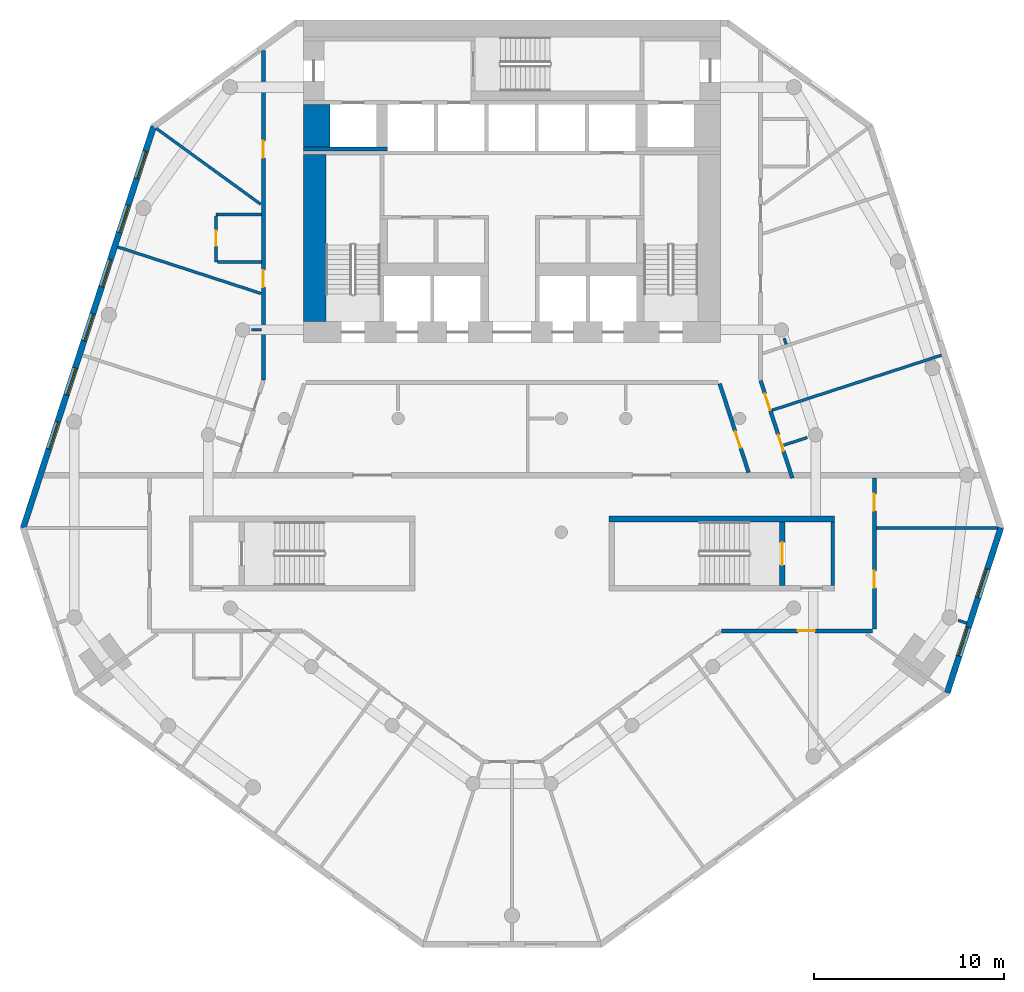
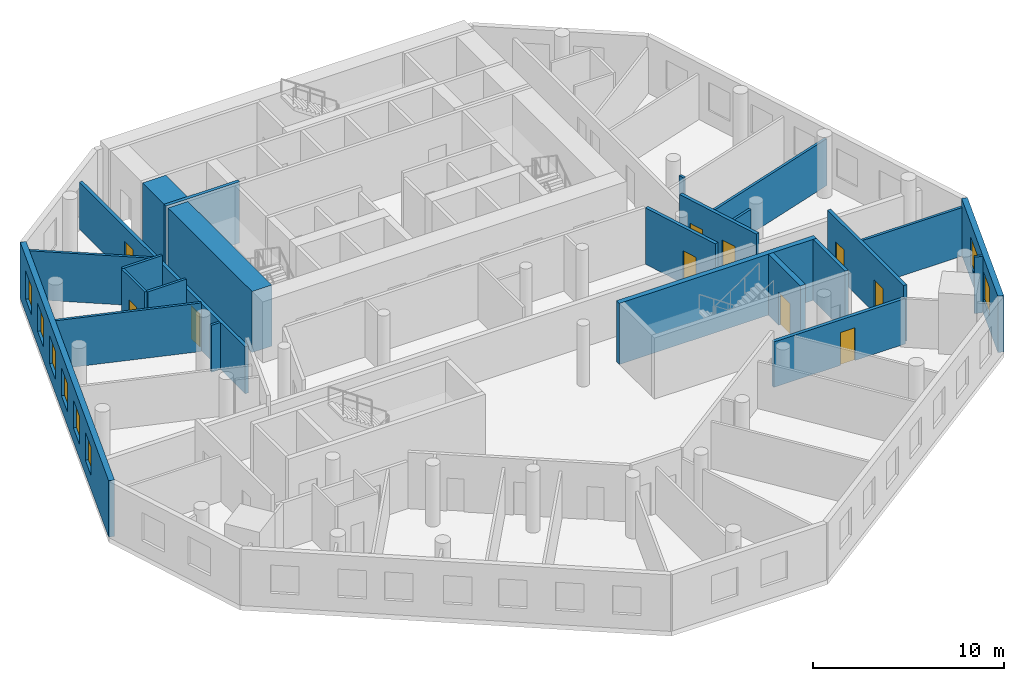
# One storey, part 4 of 9: 24 walls, 10 doors, 8 windows, 18 openings.
"""IFC4 building model written with IfcOpenShell, lengths in metres."""

from ifc_helpers import new_model, si_unit, direction, frame, frame_2d, origin, place, context, subcontext, project, spatial, rectangle, extrude, material, layer, layer_set, type_object, element, fill, save


model = new_model("IFC4")

# Units and contexts
model_context = context("Model", 3, precision=1e-05, world=origin(), true_north=direction((0.0, 1.0)))
body_context = subcontext(model_context, "Body", "Model", "MODEL_VIEW")
ifc_project = project(units=[si_unit("LENGTHUNIT", "METRE"), si_unit("AREAUNIT", "SQUARE_METRE"), si_unit("VOLUMEUNIT", "CUBIC_METRE"), si_unit("PLANEANGLEUNIT", "RADIAN"), si_unit("MASSUNIT", "GRAM", prefix="KILO")], contexts=[model_context])

# Site, building, storey
site_placement = place(None, origin())
site = spatial("IfcSite", under=ifc_project, at=site_placement, CompositionType="ELEMENT")
building_placement = place(site_placement, origin())
building = spatial("IfcBuilding", under=site, at=building_placement, Name="White Candle Pilgrim Tower", CompositionType="ELEMENT")
storey_placement = place(building_placement, frame((0.0, 0.0, 94.699951171875)))
storey = spatial("IfcBuildingStorey", under=building, at=storey_placement, Name="L20", CompositionType="ELEMENT", Elevation=94.699951171875)

# Walls
ifc_material_1 = material(Name="Concrete C60/75", Category="concrete")
ifc_layer_1 = layer(ifc_material_1, 1.39990234375)
ifc_layer_set_1 = layer_set([ifc_layer_1], Name="Core wall 1400 mm Concrete C60/75")
wall_type_1 = type_object("IfcWallType", Name="Core wall 1400 mm Concrete C60/75", PredefinedType="SHEAR", material=ifc_layer_set_1)
wall_1_placement = place(storey_placement, frame((59.699951171875, 81.300048828125, 0.0), z_axis=(0.0, 0.0, 1.0), x_axis=(0.0, 1.0, 0.0)))
element("IfcWall", 1, at=wall_1_placement, inside=storey, type_object=wall_type_1, Name="WL-L20-C39", PredefinedType="SHEAR", context=body_context, shape_type="SweptSolid", body=[
    extrude(rectangle(XDim=2.25, YDim=1.39990234375, at=frame_2d((1.125, 0.0))), origin(), (0.0, 0.0, 1.0), 3.900146484375),
])
ifc_layer_2 = layer(ifc_material_1, 0.199951171875)
ifc_layer_set_2 = layer_set([ifc_layer_2], Name="Core wall 200 mm Concrete C60/75")
wall_type_2 = type_object("IfcWallType", Name="Core wall 200 mm Concrete C60/75", PredefinedType="SHEAR", material=ifc_layer_set_2)
wall_2_placement = place(storey_placement, frame((86.89990234375, 58.199951171875, 0.0), z_axis=(0.0, 0.0, 1.0), x_axis=(0.0, 1.0, 0.0)))
element("IfcWall", 2, at=wall_2_placement, inside=storey, type_object=wall_type_2, Name="WL-L20-C08", PredefinedType="SHEAR", context=body_context, shape_type="SweptSolid", body=[
    extrude(rectangle(XDim=3.35009765625, YDim=0.199951171875, at=frame_2d((1.675048828125, 0.0))), origin(), (0.0, 0.0, 1.0), 3.900146484375),
])
wall_3_placement = place(storey_placement, frame((59.0, 81.199951171875, 0.0), z_axis=(0.0, 0.0, 1.0), x_axis=(1.0, 0.0, 0.0)))
element("IfcWall", 3, at=wall_3_placement, inside=storey, type_object=wall_type_2, Name="WL-L20-C33", PredefinedType="SHEAR", context=body_context, shape_type="SweptSolid", body=[
    extrude(rectangle(XDim=4.449951171875, YDim=0.199951171875, at=frame_2d((2.22509765625, 0.0))), origin(), (0.0, 0.0, 1.0), 3.900146484375),
])

# Wall, openings, doors
ifc_material_2 = material(Name="Gypsum board on steel studs", Category="steel")
ifc_layer_3 = layer(ifc_material_2, 0.199951171875)
ifc_layer_set_3 = layer_set([ifc_layer_3], Name="Corridor wall 200 mm EI 45")
wall_type_3 = type_object("IfcWallType", Name="Corridor wall 200 mm EI 45", PredefinedType="PARTITIONING", material=ifc_layer_set_3)
wall_4_placement = place(storey_placement, frame((56.89990234375, 69.021728515625, 0.0), z_axis=(0.0, 0.0, 1.0), x_axis=(0.0, 1.0, 0.0)))
wall_4 = element("IfcWall", 4, at=wall_4_placement, inside=storey, type_object=wall_type_3, Name="WL-L20-P003", PredefinedType="PARTITIONING", context=body_context, shape_type="SweptSolid", body=[
    extrude(rectangle(XDim=17.37451171875, YDim=0.199951171875, at=frame_2d((8.687255859375, 0.0))), origin(), (0.0, 0.0, 1.0), 3.0),
])
opening_1_placement = place(wall_4_placement, frame((4.89404296875, 0.0, 0.0)))
opening_1 = element("IfcOpeningElement", 5, at=opening_1_placement, cuts=wall_4, Name="Opening T06-121", PredefinedType="OPENING", context=body_context, shape_type="SweptSolid", body=[
    extrude(rectangle(XDim=0.89990234375, YDim=2.10009765625, at=frame_2d((0.449951171875, 1.050048828125))), frame((0.0, 0.10986328125, 0.0), z_axis=(0.0, -1.0, 0.0), x_axis=(1.0, 0.0, 0.0)), (0.0, 0.0, 1.0), 0.219970703125),
])
opening_2_placement = place(wall_4_placement, frame((11.712158203125, 0.0, 0.0)))
opening_2 = element("IfcOpeningElement", 6, at=opening_2_placement, cuts=wall_4, Name="Opening T06-122", PredefinedType="OPENING", context=body_context, shape_type="SweptSolid", body=[
    extrude(rectangle(XDim=0.89990234375, YDim=2.10009765625, at=frame_2d((0.449951171875, 1.050048828125))), frame((0.0, 0.10986328125, 0.0), z_axis=(0.0, -1.0, 0.0), x_axis=(1.0, 0.0, 0.0)), (0.0, 0.0, 1.0), 0.219970703125),
])
ifc_material_3 = material(Name="Steel door leaf", Category="steel")
door_type_1 = type_object("IfcDoorType", Name="Fire door 900 x 2100 EI 30", OperationType="NOTDEFINED", PredefinedType="DOOR", material=ifc_material_3)
door_1_placement = place(opening_1_placement, origin())
door_1 = element("IfcDoor", 7, at=door_1_placement, inside=storey, type_object=door_type_1, Name="Door T06-121", OperationType="SINGLE_SWING_LEFT", OverallHeight=2.10009765625, OverallWidth=0.89990234375, PredefinedType="DOOR", context=body_context, shape_type="SweptSolid", body=[
    extrude(rectangle(XDim=0.89990234375, YDim=2.10009765625, at=frame_2d((0.449951171875, 1.050048828125))), frame((0.0, 0.02490234375, 0.0), z_axis=(0.0, -1.0, 0.0), x_axis=(1.0, 0.0, 0.0)), (0.0, 0.0, 1.0), 0.050048828125),
])
fill(opening_1, door_1)
door_2_placement = place(opening_2_placement, origin())
door_2 = element("IfcDoor", 8, at=door_2_placement, inside=storey, type_object=door_type_1, Name="Door T06-122", OperationType="SINGLE_SWING_RIGHT", OverallHeight=2.10009765625, OverallWidth=0.89990234375, PredefinedType="DOOR", context=body_context, shape_type="SweptSolid", body=[
    extrude(rectangle(XDim=0.89990234375, YDim=2.10009765625, at=frame_2d((0.449951171875, 1.050048828125))), frame((0.0, 0.02490234375, 0.0), z_axis=(0.0, -1.0, 0.0), x_axis=(1.0, 0.0, 0.0)), (0.0, 0.0, 1.0), 0.050048828125),
])
fill(opening_2, door_2)

wall_5_placement = place(storey_placement, frame((83.10498046875, 68.99072265625, 0.0), z_axis=(0.0, 0.0, 1.0), x_axis=(0.309037048815, -0.951049999979, 0.0)))
wall_5 = element("IfcWall", 9, at=wall_5_placement, inside=storey, type_object=wall_type_3, Name="WL-L20-P005", PredefinedType="PARTITIONING", context=body_context, shape_type="SweptSolid", body=[
    extrude(rectangle(XDim=5.4052734375, YDim=0.199951171875, at=frame_2d((2.70263671875, 0.0))), origin(), (0.0, 0.0, 1.0), 3.60009765625),
])
opening_3_placement = place(wall_5_placement, frame((0.721435546875, 0.0, 0.0)))
opening_3 = element("IfcOpeningElement", 10, at=opening_3_placement, cuts=wall_5, Name="Opening T06-126", PredefinedType="OPENING", context=body_context, shape_type="SweptSolid", body=[
    extrude(rectangle(XDim=0.89990234375, YDim=2.10009765625, at=frame_2d((0.449951171875, 1.050048828125))), frame((0.0, 0.10986328125, 0.0), z_axis=(0.0, -1.0, 0.0), x_axis=(1.0, 0.0, 0.0)), (0.0, 0.0, 1.0), 0.219970703125),
])
opening_4_placement = place(wall_5_placement, frame((2.996826171875, 0.0, 0.0)))
opening_4 = element("IfcOpeningElement", 11, at=opening_4_placement, cuts=wall_5, Name="Opening T06-127", PredefinedType="OPENING", context=body_context, shape_type="SweptSolid", body=[
    extrude(rectangle(XDim=0.89990234375, YDim=2.10009765625, at=frame_2d((0.449951171875, 1.050048828125))), frame((0.0, 0.10986328125, 0.0), z_axis=(0.0, -1.0, 0.0), x_axis=(1.0, 0.0, 0.0)), (0.0, 0.0, 1.0), 0.219970703125),
])
door_3_placement = place(opening_3_placement, frame((0.89990234375, 0.0, 0.0), z_axis=(0.0, 0.0, 1.0), x_axis=(-1.0, 0.0, 0.0)))
door_3 = element("IfcDoor", 12, at=door_3_placement, inside=storey, type_object=door_type_1, Name="Door T06-126", OperationType="SINGLE_SWING_LEFT", OverallHeight=2.10009765625, OverallWidth=0.89990234375, PredefinedType="DOOR", context=body_context, shape_type="SweptSolid", body=[
    extrude(rectangle(XDim=0.89990234375, YDim=2.10009765625, at=frame_2d((0.449951171875, 1.050048828125))), frame((0.0, 0.02490234375, 0.0), z_axis=(0.0, -1.0, 0.0), x_axis=(1.0, 0.0, 0.0)), (0.0, 0.0, 1.0), 0.050048828125),
])
fill(opening_3, door_3)
door_4_placement = place(opening_4_placement, origin())
door_4 = element("IfcDoor", 13, at=door_4_placement, inside=storey, type_object=door_type_1, Name="Door T06-127", OperationType="SINGLE_SWING_LEFT", OverallHeight=2.10009765625, OverallWidth=0.89990234375, PredefinedType="DOOR", context=body_context, shape_type="SweptSolid", body=[
    extrude(rectangle(XDim=0.89990234375, YDim=2.10009765625, at=frame_2d((0.449951171875, 1.050048828125))), frame((0.0, 0.02490234375, 0.0), z_axis=(0.0, -1.0, 0.0), x_axis=(1.0, 0.0, 0.0)), (0.0, 0.0, 1.0), 0.050048828125),
])
fill(opening_4, door_4)

wall_6_placement = place(storey_placement, frame((89.10009765625, 63.85009765625, 0.0), z_axis=(0.0, 0.0, 1.0), x_axis=(0.0, -1.0, 0.0)))
wall_6 = element("IfcWall", 14, at=wall_6_placement, inside=storey, type_object=wall_type_3, Name="WL-L20-P006", PredefinedType="PARTITIONING", context=body_context, shape_type="SweptSolid", body=[
    extrude(rectangle(XDim=7.9501953125, YDim=0.199951171875, at=frame_2d((3.97509765625, 0.0))), origin(), (0.0, 0.0, 1.0), 3.60009765625),
])
opening_5_placement = place(wall_6_placement, frame((4.884765625, 0.0, 0.0)))
opening_5 = element("IfcOpeningElement", 15, at=opening_5_placement, cuts=wall_6, Name="Opening T06-114", PredefinedType="OPENING", context=body_context, shape_type="SweptSolid", body=[
    extrude(rectangle(XDim=0.89990234375, YDim=2.10009765625, at=frame_2d((0.449951171875, 1.050048828125))), frame((0.0, 0.10986328125, 0.0), z_axis=(0.0, -1.0, 0.0), x_axis=(1.0, 0.0, 0.0)), (0.0, 0.0, 1.0), 0.219970703125),
])
opening_6_placement = place(wall_6_placement, frame((0.822265625, 0.0, 0.0)))
opening_6 = element("IfcOpeningElement", 16, at=opening_6_placement, cuts=wall_6, Name="Opening T06-128", PredefinedType="OPENING", context=body_context, shape_type="SweptSolid", body=[
    extrude(rectangle(XDim=0.89990234375, YDim=2.10009765625, at=frame_2d((0.449951171875, 1.050048828125))), frame((0.0, 0.10986328125, 0.0), z_axis=(0.0, -1.0, 0.0), x_axis=(1.0, 0.0, 0.0)), (0.0, 0.0, 1.0), 0.219970703125),
])
door_5_placement = place(opening_5_placement, origin())
door_5 = element("IfcDoor", 17, at=door_5_placement, inside=storey, type_object=door_type_1, Name="Door T06-114", OperationType="SINGLE_SWING_RIGHT", OverallHeight=2.10009765625, OverallWidth=0.89990234375, PredefinedType="DOOR", context=body_context, shape_type="SweptSolid", body=[
    extrude(rectangle(XDim=0.89990234375, YDim=2.10009765625, at=frame_2d((0.449951171875, 1.050048828125))), frame((0.0, 0.02490234375, 0.0), z_axis=(0.0, -1.0, 0.0), x_axis=(1.0, 0.0, 0.0)), (0.0, 0.0, 1.0), 0.050048828125),
])
fill(opening_5, door_5)
door_6_placement = place(opening_6_placement, origin())
door_6 = element("IfcDoor", 18, at=door_6_placement, inside=storey, type_object=door_type_1, Name="Door T06-128", OperationType="SINGLE_SWING_RIGHT", OverallHeight=2.10009765625, OverallWidth=0.89990234375, PredefinedType="DOOR", context=body_context, shape_type="SweptSolid", body=[
    extrude(rectangle(XDim=0.89990234375, YDim=2.10009765625, at=frame_2d((0.449951171875, 1.050048828125))), frame((0.0, 0.02490234375, 0.0), z_axis=(0.0, -1.0, 0.0), x_axis=(1.0, 0.0, 0.0)), (0.0, 0.0, 1.0), 0.050048828125),
])
fill(opening_6, door_6)

# Wall, opening, door
wall_7_placement = place(storey_placement, frame((89.0, 55.800048828125, 0.0), z_axis=(0.0, 0.0, 1.0), x_axis=(-1.0, 0.0, 0.0)))
wall_7 = element("IfcWall", 19, at=wall_7_placement, inside=storey, type_object=wall_type_3, Name="WL-L20-P007", PredefinedType="PARTITIONING", context=body_context, shape_type="SweptSolid", body=[
    extrude(rectangle(XDim=7.946044921875, YDim=0.199951171875, at=frame_2d((3.97314453125, 0.0))), origin(), (0.0, 0.0, 1.0), 2.900146484375),
])
opening_7_placement = place(wall_7_placement, frame((3.034423828125, 0.0, 0.0)))
opening_7 = element("IfcOpeningElement", 20, at=opening_7_placement, cuts=wall_7, Name="Opening T06-113", PredefinedType="OPENING", context=body_context, shape_type="SweptSolid", body=[
    extrude(rectangle(XDim=0.89990234375, YDim=2.10009765625, at=frame_2d((0.449951171875, 1.050048828125))), frame((0.0, 0.10986328125, 0.0), z_axis=(0.0, -1.0, 0.0), x_axis=(1.0, 0.0, 0.0)), (0.0, 0.0, 1.0), 0.219970703125),
])
door_7_placement = place(opening_7_placement, origin())
door_7 = element("IfcDoor", 21, at=door_7_placement, inside=storey, type_object=door_type_1, Name="Door T06-113", OperationType="SINGLE_SWING_LEFT", OverallHeight=2.10009765625, OverallWidth=0.89990234375, PredefinedType="DOOR", context=body_context, shape_type="SweptSolid", body=[
    extrude(rectangle(XDim=0.89990234375, YDim=2.10009765625, at=frame_2d((0.449951171875, 1.050048828125))), frame((0.0, 0.02490234375, 0.0), z_axis=(0.0, -1.0, 0.0), x_axis=(1.0, 0.0, 0.0)), (0.0, 0.0, 1.0), 0.050048828125),
])
fill(opening_7, door_7)

wall_8_placement = place(storey_placement, frame((82.4697265625, 64.14990234375, 0.0), z_axis=(0.0, 0.0, 1.0), x_axis=(-0.309031112369, 0.951051928965, 0.0)))
wall_8 = element("IfcWall", 22, at=wall_8_placement, inside=storey, type_object=wall_type_3, Name="WL-L20-P015", PredefinedType="PARTITIONING", context=body_context, shape_type="SweptSolid", body=[
    extrude(rectangle(XDim=4.921875, YDim=0.199951171875, at=frame_2d((2.4609375, 0.0))), origin(), (0.0, 0.0, 1.0), 3.60009765625),
])
opening_8_placement = place(wall_8_placement, frame((1.367919921875, 0.0, 0.0)))
opening_8 = element("IfcOpeningElement", 23, at=opening_8_placement, cuts=wall_8, Name="Opening T06-130", PredefinedType="OPENING", context=body_context, shape_type="SweptSolid", body=[
    extrude(rectangle(XDim=0.89990234375, YDim=2.10009765625, at=frame_2d((0.449951171875, 1.050048828125))), frame((0.0, 0.10986328125, 0.0), z_axis=(0.0, -1.0, 0.0), x_axis=(1.0, 0.0, 0.0)), (0.0, 0.0, 1.0), 0.219970703125),
])
door_8_placement = place(opening_8_placement, origin())
door_8 = element("IfcDoor", 24, at=door_8_placement, inside=storey, type_object=door_type_1, Name="Door T06-130", OperationType="SINGLE_SWING_RIGHT", OverallHeight=2.10009765625, OverallWidth=0.89990234375, PredefinedType="DOOR", context=body_context, shape_type="SweptSolid", body=[
    extrude(rectangle(XDim=0.89990234375, YDim=2.10009765625, at=frame_2d((0.449951171875, 1.050048828125))), frame((0.0, 0.02490234375, 0.0), z_axis=(0.0, -1.0, 0.0), x_axis=(1.0, 0.0, 0.0)), (0.0, 0.0, 1.0), 0.050048828125),
])
fill(opening_8, door_8)

# Wall, openings, windows
ifc_material_4 = material(Name="Precast concrete C40/50", Category="concrete")
ifc_layer_4 = layer(ifc_material_4, 0.320068359375)
ifc_layer_set_4 = layer_set([ifc_layer_4], Name="Facade wall EW1 precast concrete C40/50 pier wall with timber-lined reveals")
wall_type_4 = type_object("IfcWallType", Name="Facade wall EW1 precast concrete C40/50 pier wall with timber-lined reveals", PredefinedType="SOLIDWALL", material=ifc_layer_set_4)
wall_9_placement = place(storey_placement, frame((92.939697265625, 52.54345703125, 0.0), z_axis=(0.0, 0.0, 1.0), x_axis=(0.309026240246, 0.95105351208, 0.0)))
wall_9 = element("IfcWall", 25, at=wall_9_placement, inside=storey, type_object=wall_type_4, Name="Facade wall L20 E chamfer", PredefinedType="SOLIDWALL", context=body_context, shape_type="SweptSolid", body=[
    extrude(rectangle(XDim=9.13427734375, YDim=0.320068359375, at=frame_2d((4.567138671875, 0.0))), origin(), (0.0, 0.0, 1.0), 3.60009765625),
])
opening_9_placement = place(wall_9_placement, frame((2.030517578125, 0.0, 0.89990234375)))
opening_9 = element("IfcOpeningElement", 26, at=opening_9_placement, cuts=wall_9, Name="Opening W2", PredefinedType="OPENING", context=body_context, shape_type="SweptSolid", body=[
    extrude(rectangle(XDim=1.60009765625, YDim=1.800048828125, at=frame_2d((0.800048828125, 0.89990234375))), frame((0.0, 0.169921875, 0.0), z_axis=(0.0, -1.0, 0.0), x_axis=(1.0, 0.0, 0.0)), (0.0, 0.0, 1.0), 0.340087890625),
])
opening_10_placement = place(wall_9_placement, frame((5.26708984375, 0.0, 0.89990234375)))
opening_10 = element("IfcOpeningElement", 27, at=opening_10_placement, cuts=wall_9, Name="Opening W2", PredefinedType="OPENING", context=body_context, shape_type="SweptSolid", body=[
    extrude(rectangle(XDim=1.60009765625, YDim=1.800048828125, at=frame_2d((0.800048828125, 0.89990234375))), frame((0.0, 0.169921875, 0.0), z_axis=(0.0, -1.0, 0.0), x_axis=(1.0, 0.0, 0.0)), (0.0, 0.0, 1.0), 0.340087890625),
])
ifc_material_5 = material(Name="Timber frame with triple glazing", Category="wood")
window_type_1 = type_object("IfcWindowType", Name="Window W2 1600x1800 timber frame triple glazing", PartitioningType="SINGLE_PANEL", PredefinedType="WINDOW", material=ifc_material_5)
window_1_placement = place(opening_9_placement, origin())
window_1 = element("IfcWindow", 28, at=window_1_placement, inside=storey, type_object=window_type_1, Name="Window W2 L20 E chamfer 1", OverallHeight=1.800048828125, OverallWidth=1.60009765625, PartitioningType="SINGLE_PANEL", PredefinedType="WINDOW", context=body_context, shape_type="SweptSolid", body=[
    extrude(rectangle(XDim=1.60009765625, YDim=1.800048828125, at=frame_2d((0.800048828125, 0.89990234375))), frame((0.0, 0.070068359375, 0.0), z_axis=(0.0, -1.0, 0.0), x_axis=(1.0, 0.0, 0.0)), (0.0, 0.0, 1.0), 0.06005859375),
])
fill(opening_9, window_1)
window_2_placement = place(opening_10_placement, origin())
window_2 = element("IfcWindow", 29, at=window_2_placement, inside=storey, type_object=window_type_1, Name="Window W2 L20 E chamfer 2", OverallHeight=1.800048828125, OverallWidth=1.60009765625, PartitioningType="SINGLE_PANEL", PredefinedType="WINDOW", context=body_context, shape_type="SweptSolid", body=[
    extrude(rectangle(XDim=1.60009765625, YDim=1.800048828125, at=frame_2d((0.800048828125, 0.89990234375))), frame((0.0, 0.070068359375, 0.0), z_axis=(0.0, -1.0, 0.0), x_axis=(1.0, 0.0, 0.0)), (0.0, 0.0, 1.0), 0.06005859375),
])
fill(opening_10, window_2)

wall_10_placement = place(storey_placement, frame((51.1123046875, 82.388916015625, 0.0), z_axis=(0.0, 0.0, 1.0), x_axis=(-0.309018577053, -0.95105600205, 0.0)))
wall_10 = element("IfcWall", 30, at=wall_10_placement, inside=storey, type_object=wall_type_4, Name="Facade wall L20 WNW", PredefinedType="SOLIDWALL", context=body_context, shape_type="SweptSolid", body=[
    extrude(rectangle(XDim=22.2470703125, YDim=0.320068359375, at=frame_2d((11.12353515625, 0.0))), origin(), (0.0, 0.0, 1.0), 3.60009765625),
])
opening_11_placement = place(wall_10_placement, frame((1.37353515625, 0.0, 0.89990234375)))
opening_11 = element("IfcOpeningElement", 31, at=opening_11_placement, cuts=wall_10, Name="Opening W1", PredefinedType="OPENING", context=body_context, shape_type="SweptSolid", body=[
    extrude(rectangle(XDim=1.5, YDim=1.800048828125, at=frame_2d((0.75, 0.89990234375))), frame((0.0, 0.169921875, 0.0), z_axis=(0.0, -1.0, 0.0), x_axis=(1.0, 0.0, 0.0)), (0.0, 0.0, 1.0), 0.340087890625),
])
opening_12_placement = place(wall_10_placement, frame((4.37353515625, 0.0, 0.89990234375)))
opening_12 = element("IfcOpeningElement", 32, at=opening_12_placement, cuts=wall_10, Name="Opening W1", PredefinedType="OPENING", context=body_context, shape_type="SweptSolid", body=[
    extrude(rectangle(XDim=1.5, YDim=1.800048828125, at=frame_2d((0.75, 0.89990234375))), frame((0.0, 0.169921875, 0.0), z_axis=(0.0, -1.0, 0.0), x_axis=(1.0, 0.0, 0.0)), (0.0, 0.0, 1.0), 0.340087890625),
])
opening_13_placement = place(wall_10_placement, frame((7.37353515625, 0.0, 0.89990234375)))
opening_13 = element("IfcOpeningElement", 33, at=opening_13_placement, cuts=wall_10, Name="Opening W1", PredefinedType="OPENING", context=body_context, shape_type="SweptSolid", body=[
    extrude(rectangle(XDim=1.5, YDim=1.800048828125, at=frame_2d((0.75, 0.89990234375))), frame((0.0, 0.169921875, 0.0), z_axis=(0.0, -1.0, 0.0), x_axis=(1.0, 0.0, 0.0)), (0.0, 0.0, 1.0), 0.340087890625),
])
opening_14_placement = place(wall_10_placement, frame((10.37353515625, 0.0, 0.89990234375)))
opening_14 = element("IfcOpeningElement", 34, at=opening_14_placement, cuts=wall_10, Name="Opening W1", PredefinedType="OPENING", context=body_context, shape_type="SweptSolid", body=[
    extrude(rectangle(XDim=1.5, YDim=1.800048828125, at=frame_2d((0.75, 0.89990234375))), frame((0.0, 0.169921875, 0.0), z_axis=(0.0, -1.0, 0.0), x_axis=(1.0, 0.0, 0.0)), (0.0, 0.0, 1.0), 0.340087890625),
])
opening_15_placement = place(wall_10_placement, frame((13.37353515625, 0.0, 0.89990234375)))
opening_15 = element("IfcOpeningElement", 35, at=opening_15_placement, cuts=wall_10, Name="Opening W1", PredefinedType="OPENING", context=body_context, shape_type="SweptSolid", body=[
    extrude(rectangle(XDim=1.5, YDim=1.800048828125, at=frame_2d((0.75, 0.89990234375))), frame((0.0, 0.169921875, 0.0), z_axis=(0.0, -1.0, 0.0), x_axis=(1.0, 0.0, 0.0)), (0.0, 0.0, 1.0), 0.340087890625),
])
opening_16_placement = place(wall_10_placement, frame((16.37353515625, 0.0, 0.89990234375)))
opening_16 = element("IfcOpeningElement", 36, at=opening_16_placement, cuts=wall_10, Name="Opening W1", PredefinedType="OPENING", context=body_context, shape_type="SweptSolid", body=[
    extrude(rectangle(XDim=1.5, YDim=1.800048828125, at=frame_2d((0.75, 0.89990234375))), frame((0.0, 0.169921875, 0.0), z_axis=(0.0, -1.0, 0.0), x_axis=(1.0, 0.0, 0.0)), (0.0, 0.0, 1.0), 0.340087890625),
])
window_type_2 = type_object("IfcWindowType", Name="Window W1 1500x1800 timber frame triple glazing", PartitioningType="SINGLE_PANEL", PredefinedType="WINDOW", material=ifc_material_5)
window_3_placement = place(opening_11_placement, origin())
window_3 = element("IfcWindow", 37, at=window_3_placement, inside=storey, type_object=window_type_2, Name="Window W1 L20 WNW 1", OverallHeight=1.800048828125, OverallWidth=1.5, PartitioningType="SINGLE_PANEL", PredefinedType="WINDOW", context=body_context, shape_type="SweptSolid", body=[
    extrude(rectangle(XDim=1.5, YDim=1.800048828125, at=frame_2d((0.75, 0.89990234375))), frame((0.0, 0.070068359375, 0.0), z_axis=(0.0, -1.0, 0.0), x_axis=(1.0, 0.0, 0.0)), (0.0, 0.0, 1.0), 0.06005859375),
])
fill(opening_11, window_3)
window_4_placement = place(opening_12_placement, origin())
window_4 = element("IfcWindow", 38, at=window_4_placement, inside=storey, type_object=window_type_2, Name="Window W1 L20 WNW 2", OverallHeight=1.800048828125, OverallWidth=1.5, PartitioningType="SINGLE_PANEL", PredefinedType="WINDOW", context=body_context, shape_type="SweptSolid", body=[
    extrude(rectangle(XDim=1.5, YDim=1.800048828125, at=frame_2d((0.75, 0.89990234375))), frame((0.0, 0.070068359375, 0.0), z_axis=(0.0, -1.0, 0.0), x_axis=(1.0, 0.0, 0.0)), (0.0, 0.0, 1.0), 0.06005859375),
])
fill(opening_12, window_4)
window_5_placement = place(opening_13_placement, origin())
window_5 = element("IfcWindow", 39, at=window_5_placement, inside=storey, type_object=window_type_2, Name="Window W1 L20 WNW 3", OverallHeight=1.800048828125, OverallWidth=1.5, PartitioningType="SINGLE_PANEL", PredefinedType="WINDOW", context=body_context, shape_type="SweptSolid", body=[
    extrude(rectangle(XDim=1.5, YDim=1.800048828125, at=frame_2d((0.75, 0.89990234375))), frame((0.0, 0.070068359375, 0.0), z_axis=(0.0, -1.0, 0.0), x_axis=(1.0, 0.0, 0.0)), (0.0, 0.0, 1.0), 0.06005859375),
])
fill(opening_13, window_5)
window_6_placement = place(opening_14_placement, origin())
window_6 = element("IfcWindow", 40, at=window_6_placement, inside=storey, type_object=window_type_2, Name="Window W1 L20 WNW 4", OverallHeight=1.800048828125, OverallWidth=1.5, PartitioningType="SINGLE_PANEL", PredefinedType="WINDOW", context=body_context, shape_type="SweptSolid", body=[
    extrude(rectangle(XDim=1.5, YDim=1.800048828125, at=frame_2d((0.75, 0.89990234375))), frame((0.0, 0.070068359375, 0.0), z_axis=(0.0, -1.0, 0.0), x_axis=(1.0, 0.0, 0.0)), (0.0, 0.0, 1.0), 0.06005859375),
])
fill(opening_14, window_6)
window_7_placement = place(opening_15_placement, origin())
window_7 = element("IfcWindow", 41, at=window_7_placement, inside=storey, type_object=window_type_2, Name="Window W1 L20 WNW 5", OverallHeight=1.800048828125, OverallWidth=1.5, PartitioningType="SINGLE_PANEL", PredefinedType="WINDOW", context=body_context, shape_type="SweptSolid", body=[
    extrude(rectangle(XDim=1.5, YDim=1.800048828125, at=frame_2d((0.75, 0.89990234375))), frame((0.0, 0.070068359375, 0.0), z_axis=(0.0, -1.0, 0.0), x_axis=(1.0, 0.0, 0.0)), (0.0, 0.0, 1.0), 0.06005859375),
])
fill(opening_15, window_7)
window_8_placement = place(opening_16_placement, origin())
window_8 = element("IfcWindow", 42, at=window_8_placement, inside=storey, type_object=window_type_2, Name="Window W1 L20 WNW 6", OverallHeight=1.800048828125, OverallWidth=1.5, PartitioningType="SINGLE_PANEL", PredefinedType="WINDOW", context=body_context, shape_type="SweptSolid", body=[
    extrude(rectangle(XDim=1.5, YDim=1.800048828125, at=frame_2d((0.75, 0.89990234375))), frame((0.0, 0.070068359375, 0.0), z_axis=(0.0, -1.0, 0.0), x_axis=(1.0, 0.0, 0.0)), (0.0, 0.0, 1.0), 0.06005859375),
])
fill(opening_16, window_8)

# Walls
ifc_layer_5 = layer(ifc_material_2, 0.14990234375)
ifc_layer_set_5 = layer_set([ifc_layer_5], Name="Partition 150 mm EI 60")
wall_type_5 = type_object("IfcWallType", Name="Partition 150 mm EI 60", PredefinedType="PARTITIONING", material=ifc_layer_set_5)
wall_11_placement = place(storey_placement, frame((51.248291015625, 82.2900390625, 0.0), z_axis=(0.0, 0.0, 1.0), x_axis=(0.809035290939, -0.587760068408, 0.0)))
element("IfcWall", 43, at=wall_11_placement, inside=storey, type_object=wall_type_5, Name="WL-L20-P016", PredefinedType="PARTITIONING", context=body_context, shape_type="SweptSolid", body=[
    extrude(rectangle(XDim=6.8076171875, YDim=0.14990234375, at=frame_2d((3.40380859375, 0.0))), origin(), (0.0, 0.0, 1.0), 3.10009765625),
])
wall_12_placement = place(storey_placement, frame((95.59423828125, 61.230712890625, 0.0), z_axis=(0.0, 0.0, 1.0), x_axis=(-1.0, 0.0, 0.0)))
element("IfcWall", 44, at=wall_12_placement, inside=storey, type_object=wall_type_5, Name="WL-L20-P022", PredefinedType="PARTITIONING", context=body_context, shape_type="SweptSolid", body=[
    extrude(rectangle(XDim=6.394287109375, YDim=0.14990234375, at=frame_2d((3.197265625, 0.0))), origin(), (0.0, 0.0, 1.0), 3.10009765625),
])
wall_13_placement = place(storey_placement, frame((49.2177734375, 76.0400390625, 0.0), z_axis=(0.0, 0.0, 1.0), x_axis=(0.951057993494, -0.309012447986, 0.0)))
element("IfcWall", 45, at=wall_13_placement, inside=storey, type_object=wall_type_5, Name="WL-L20-P024", PredefinedType="PARTITIONING", context=body_context, shape_type="SweptSolid", body=[
    extrude(rectangle(XDim=7.947998046875, YDim=0.14990234375, at=frame_2d((3.97412109375, 0.0))), origin(), (0.0, 0.0, 1.0), 3.10009765625),
])
wall_14_placement = place(storey_placement, frame((56.800048828125, 77.743896484375, 0.0), z_axis=(0.0, 0.0, 1.0), x_axis=(-1.0, 0.0, 0.0)))
element("IfcWall", 46, at=wall_14_placement, inside=storey, type_object=wall_type_5, Name="WL-L20-P026", PredefinedType="PARTITIONING", context=body_context, shape_type="SweptSolid", body=[
    extrude(rectangle(XDim=2.400146484375, YDim=0.14990234375, at=frame_2d((1.2001953125, 0.0))), origin(), (0.0, 0.0, 1.0), 3.60009765625),
])

# Wall, opening, door
wall_15_placement = place(storey_placement, frame((54.39990234375, 75.243896484375, 0.0), z_axis=(0.0, 0.0, 1.0), x_axis=(0.0, 1.0, 0.0)))
wall_15 = element("IfcWall", 47, at=wall_15_placement, inside=storey, type_object=wall_type_5, Name="WL-L20-P027", PredefinedType="PARTITIONING", context=body_context, shape_type="SweptSolid", body=[
    extrude(rectangle(XDim=2.425048828125, YDim=0.14990234375, at=frame_2d((1.21240234375, 0.0))), origin(), (0.0, 0.0, 1.0), 3.60009765625),
])
opening_17_placement = place(wall_15_placement, frame((0.85009765625, 0.0, 0.0)))
opening_17 = element("IfcOpeningElement", 48, at=opening_17_placement, cuts=wall_15, Name="Opening T06-101", PredefinedType="OPENING", context=body_context, shape_type="SweptSolid", body=[
    extrude(rectangle(XDim=0.800048828125, YDim=2.10009765625, at=frame_2d((0.39990234375, 1.050048828125))), frame((0.0, 0.0849609375, 0.0), z_axis=(0.0, -1.0, 0.0), x_axis=(1.0, 0.0, 0.0)), (0.0, 0.0, 1.0), 0.169921875),
])
door_type_2 = type_object("IfcDoorType", Name="Fire door 800 x 2100 EI 30", OperationType="NOTDEFINED", PredefinedType="DOOR", material=ifc_material_3)
door_9_placement = place(opening_17_placement, origin())
door_9 = element("IfcDoor", 49, at=door_9_placement, inside=storey, type_object=door_type_2, Name="Door T06-101", OperationType="SINGLE_SWING_LEFT", OverallHeight=2.10009765625, OverallWidth=0.800048828125, PredefinedType="DOOR", context=body_context, shape_type="SweptSolid", body=[
    extrude(rectangle(XDim=0.800048828125, YDim=2.10009765625, at=frame_2d((0.39990234375, 1.050048828125))), frame((0.0, 0.02490234375, 0.0), z_axis=(0.0, -1.0, 0.0), x_axis=(1.0, 0.0, 0.0)), (0.0, 0.0, 1.0), 0.050048828125),
])
fill(opening_17, door_9)

# Walls
wall_16_placement = place(storey_placement, frame((56.800048828125, 75.243896484375, 0.0), z_axis=(0.0, 0.0, 1.0), x_axis=(-1.0, 0.0, 0.0)))
element("IfcWall", 50, at=wall_16_placement, inside=storey, type_object=wall_type_5, Name="WL-L20-P028", PredefinedType="PARTITIONING", context=body_context, shape_type="SweptSolid", body=[
    extrude(rectangle(XDim=2.324951171875, YDim=0.14990234375, at=frame_2d((1.16259765625, 0.0))), origin(), (0.0, 0.0, 1.0), 3.60009765625),
])
wall_17_placement = place(storey_placement, frame((92.636474609375, 70.333740234375, 0.0), z_axis=(0.0, 0.0, 1.0), x_axis=(-0.951060843481, -0.309003676349, 0.0)))
element("IfcWall", 51, at=wall_17_placement, inside=storey, type_object=wall_type_5, Name="WL-L20-P039", PredefinedType="PARTITIONING", context=body_context, shape_type="SweptSolid", body=[
    extrude(rectangle(XDim=9.3798828125, YDim=0.14990234375, at=frame_2d((4.68994140625, 0.0))), origin(), (0.0, 0.0, 1.0), 3.0),
])
wall_18_placement = place(storey_placement, frame((93.52490234375, 56.35498046875, 0.0), z_axis=(0.0, 0.0, 1.0), x_axis=(0.951037957901, -0.309074105406, 0.0)))
element("IfcWall", 52, at=wall_18_placement, inside=storey, type_object=wall_type_5, Name="WL-L20-P050", PredefinedType="PARTITIONING", context=body_context, shape_type="SweptSolid", body=[
    extrude(rectangle(XDim=0.46142578125, YDim=0.14990234375, at=frame_2d((0.230712890625, 0.0))), origin(), (0.0, 0.0, 1.0), 3.60009765625),
])
wall_19_placement = place(storey_placement, frame((85.558837890625, 65.992919921875, 0.0), z_axis=(0.0, 0.0, 1.0), x_axis=(-0.951046418515, -0.309048070419, 0.0)))
element("IfcWall", 53, at=wall_19_placement, inside=storey, type_object=wall_type_5, Name="WL-L20-P054", PredefinedType="PARTITIONING", context=body_context, shape_type="SweptSolid", body=[
    extrude(rectangle(XDim=1.307373046875, YDim=0.14990234375, at=frame_2d((0.65380859375, 0.0))), origin(), (0.0, 0.0, 1.0), 3.60009765625),
])
wall_20_placement = place(storey_placement, frame((84.346923828125, 71.22900390625, 0.0), z_axis=(0.0, 0.0, 1.0), x_axis=(0.309282141787, -0.950970323812, 0.0)))
element("IfcWall", 54, at=wall_20_placement, inside=storey, type_object=wall_type_5, Name="WL-L20-P055", PredefinedType="PARTITIONING", context=body_context, shape_type="SweptSolid", body=[
    extrude(rectangle(XDim=0.337890625, YDim=0.14990234375, at=frame_2d((0.1689453125, 0.0))), origin(), (0.0, 0.0, 1.0), 3.0),
])
wall_21_placement = place(storey_placement, frame((56.264892578125, 71.67236328125, 0.0), z_axis=(0.0, 0.0, 1.0), x_axis=(1.0, 0.0, 0.0)))
element("IfcWall", 55, at=wall_21_placement, inside=storey, type_object=wall_type_5, Name="WL-L20-P056", PredefinedType="PARTITIONING", context=body_context, shape_type="SweptSolid", body=[
    extrude(rectangle(XDim=0.53515625, YDim=0.14990234375, at=frame_2d((0.267578125, 0.0))), origin(), (0.0, 0.0, 1.0), 3.0),
])
ifc_layer_6 = layer(ifc_material_1, 1.199951171875)
ifc_layer_set_6 = layer_set([ifc_layer_6], Name="Stair shaft wall 1200 mm Concrete C60/75")
wall_type_6 = type_object("IfcWallType", Name="Stair shaft wall 1200 mm Concrete C60/75", PredefinedType="SHEAR", material=ifc_layer_set_6)
wall_22_placement = place(storey_placement, frame((59.60009765625, 72.10009765625, 0.0), z_axis=(0.0, 0.0, 1.0), x_axis=(0.0, 1.0, 0.0)))
element("IfcWall", 56, at=wall_22_placement, inside=storey, type_object=wall_type_6, Name="WL-L20-C12", PredefinedType="SHEAR", context=body_context, shape_type="SweptSolid", body=[
    extrude(rectangle(XDim=8.7998046875, YDim=1.199951171875, at=frame_2d((4.39990234375, 0.0))), origin(), (0.0, 0.0, 1.0), 3.900146484375),
])

# Wall, opening, door
ifc_layer_7 = layer(ifc_material_1, 0.300048828125)
ifc_layer_set_7 = layer_set([ifc_layer_7], Name="Stair shaft wall 300 mm Concrete C60/75")
wall_type_7 = type_object("IfcWallType", Name="Stair shaft wall 300 mm Concrete C60/75", PredefinedType="SHEAR", material=ifc_layer_set_7)
wall_23_placement = place(storey_placement, frame((84.25, 58.199951171875, 0.0), z_axis=(0.0, 0.0, 1.0), x_axis=(0.0, 1.0, 0.0)))
wall_23 = element("IfcWall", 57, at=wall_23_placement, inside=storey, type_object=wall_type_7, Name="WL-L20-C07", PredefinedType="SHEAR", context=body_context, shape_type="SweptSolid", body=[
    extrude(rectangle(XDim=3.35009765625, YDim=0.300048828125, at=frame_2d((1.675048828125, 0.0))), origin(), (0.0, 0.0, 1.0), 3.900146484375),
])
opening_18_placement = place(wall_23_placement, frame((1.074951171875, 0.0, 0.0)))
opening_18 = element("IfcOpeningElement", 58, at=opening_18_placement, cuts=wall_23, Name="Opening T06-010", PredefinedType="OPENING", context=body_context, shape_type="SweptSolid", body=[
    extrude(rectangle(XDim=1.199951171875, YDim=2.10009765625, at=frame_2d((0.60009765625, 1.050048828125))), frame((0.0, 0.159912109375, 0.0), z_axis=(0.0, -1.0, 0.0), x_axis=(1.0, 0.0, 0.0)), (0.0, 0.0, 1.0), 0.320068359375),
])
door_type_3 = type_object("IfcDoorType", Name="Fire door 1200 x 2100 EI 60", OperationType="NOTDEFINED", PredefinedType="DOOR", material=ifc_material_3)
door_10_placement = place(opening_18_placement, origin())
door_10 = element("IfcDoor", 59, at=door_10_placement, inside=storey, type_object=door_type_3, Name="Door T06-010", OperationType="SINGLE_SWING_RIGHT", OverallHeight=2.10009765625, OverallWidth=1.199951171875, PredefinedType="DOOR", context=body_context, shape_type="SweptSolid", body=[
    extrude(rectangle(XDim=1.199951171875, YDim=2.10009765625, at=frame_2d((0.60009765625, 1.050048828125))), frame((0.0, 0.02490234375, 0.0), z_axis=(0.0, -1.0, 0.0), x_axis=(1.0, 0.0, 0.0)), (0.0, 0.0, 1.0), 0.050048828125),
])
fill(opening_18, door_10)

# Wall
wall_24_placement = place(storey_placement, frame((75.10009765625, 61.699951171875, 0.0), z_axis=(0.0, 0.0, 1.0), x_axis=(1.0, 0.0, 0.0)))
element("IfcWall", 60, at=wall_24_placement, inside=storey, type_object=wall_type_7, Name="WL-L20-C10", PredefinedType="SHEAR", context=body_context, shape_type="SweptSolid", body=[
    extrude(rectangle(XDim=11.89990234375, YDim=0.300048828125, at=frame_2d((5.949951171875, 0.0))), origin(), (0.0, 0.0, 1.0), 3.900146484375),
])

save(model, "model.ifc")
